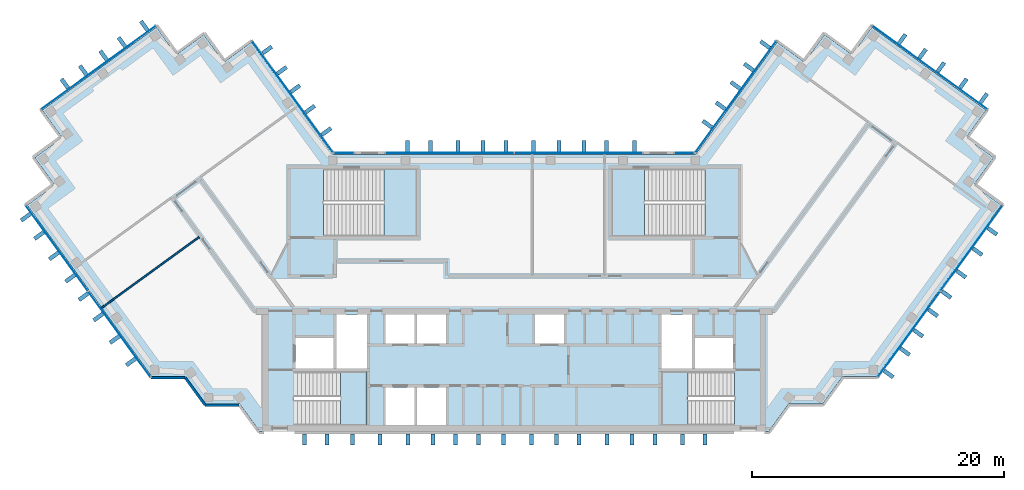
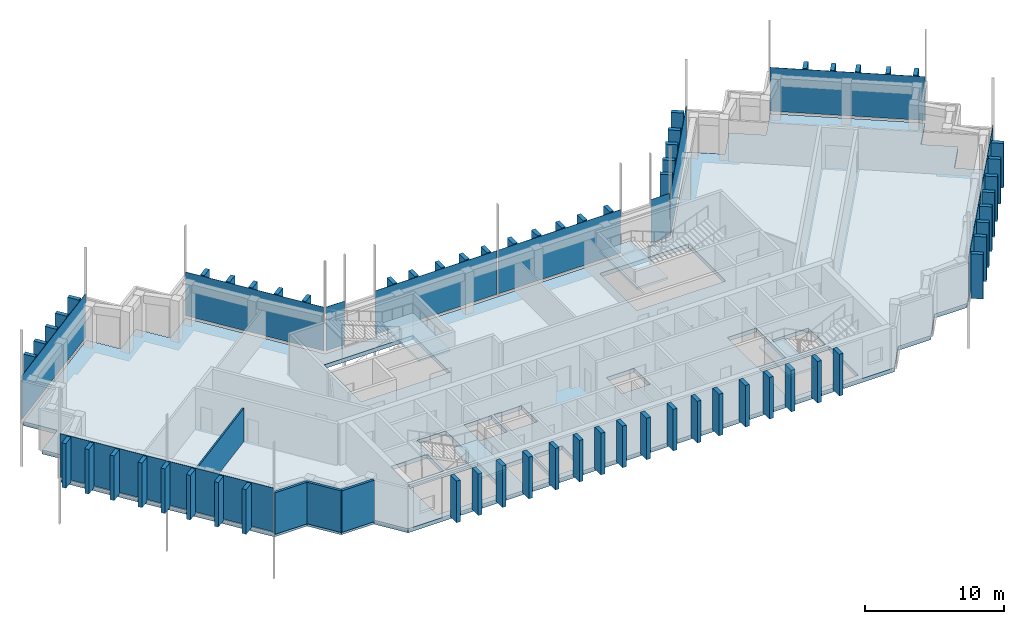
# One storey, part 7 of 13: 75 plates, 5 slabs, 4 walls, 13 elements without a shape of their own.
"""IFC4 building model written with IfcOpenShell, lengths in metres."""

from ifc_helpers import new_model, si_unit, direction, frame, frame_2d, origin, origin_2d, place, context, subcontext, project, spatial, polyline, rectangle, outline, extrude, material, layer, layer_set, type_object, element, aggregate, save


model = new_model("IFC4")

# Units and contexts
model_context = context("Model", 3, precision=1e-05, world=origin(), true_north=direction((0.0, 1.0)))
body_context = subcontext(model_context, "Body", "Model", "MODEL_VIEW")
ifc_project = project(units=[si_unit("LENGTHUNIT", "METRE"), si_unit("AREAUNIT", "SQUARE_METRE"), si_unit("VOLUMEUNIT", "CUBIC_METRE"), si_unit("PLANEANGLEUNIT", "RADIAN"), si_unit("MASSUNIT", "GRAM", prefix="KILO")], contexts=[model_context])

# Site, building, storey
site_placement = place(None, origin())
site = spatial("IfcSite", under=ifc_project, at=site_placement, CompositionType="ELEMENT")
building_placement = place(site_placement, origin())
building = spatial("IfcBuilding", under=site, at=building_placement, Name="Quipu Civic Tower", CompositionType="ELEMENT")
storey_placement = place(building_placement, frame((0.0, 0.0, 285.0)))
storey = spatial("IfcBuildingStorey", under=building, at=storey_placement, Name="L66", CompositionType="ELEMENT", Elevation=285.0)

# Slab
ifc_material_1 = material(Name="Concrete C40/50", Category="concrete")
ifc_layer_1 = layer(ifc_material_1, 0.35009765625)
ifc_layer_set_1 = layer_set([ifc_layer_1], Name="Concrete C40/50")
slab_type_1 = type_object("IfcSlabType", Name="Floor slab 350 C40/50", PredefinedType="FLOOR", material=ifc_layer_set_1)
slab_1_placement = place(storey_placement, frame((0.0, 0.0, -0.35009765625)))
element("IfcSlab", 1, at=slab_1_placement, inside=storey, type_object=slab_type_1, Name="Floor slab L66", PredefinedType="FLOOR", context=body_context, shape_type="SweptSolid", body=[
    extrude(outline(polyline([(20.860107421875, 19.89501953125), (23.0400390625, 18.31005859375), (24.6298828125, 20.4951171875), (26.81494140625, 18.905029296875), (28.39990234375, 21.090087890625), (37.4599609375, 14.5048828125), (35.875, 12.320068359375), (38.06005859375, 10.735107421875), (36.469970703125, 8.550048828125), (38.655029296875, 6.965087890625), (28.780029296875, -6.6298828125), (26.080078125, -6.6298828125), (24.489990234375, -8.81494140625), (21.7900390625, -8.81494140625), (20.205078125, -11.0), (-20.205078125, -11.0), (-21.7900390625, -8.81494140625), (-24.489990234375, -8.81494140625), (-26.080078125, -6.6298828125), (-28.780029296875, -6.6298828125), (-38.655029296875, 6.965087890625), (-36.469970703125, 8.550048828125), (-38.06005859375, 10.735107421875), (-35.875, 12.320068359375), (-37.4599609375, 14.5048828125), (-28.39990234375, 21.090087890625), (-26.81494140625, 18.905029296875), (-24.6298828125, 20.4951171875), (-23.0400390625, 18.31005859375), (-20.860107421875, 19.89501953125), (-14.39501953125, 11.0), (14.39501953125, 11.0), (20.860107421875, 19.89501953125)]), holes=[polyline([(-10.199951171875, -10.5), (-7.89990234375, -10.5), (-7.89990234375, -7.5), (-10.199951171875, -7.5), (-10.199951171875, -10.5)]), polyline([(-7.699951171875, -7.5), (-7.699951171875, -10.5), (-5.39990234375, -10.5), (-5.39990234375, -7.5), (-7.699951171875, -7.5)]), polyline([(-11.705078125, -6.2548828125), (-17.4951171875, -6.2548828125), (-17.4951171875, -10.4951171875), (-11.705078125, -10.4951171875), (-11.705078125, -6.2548828125)]), polyline([(-17.35009765625, -6.0), (-14.35009765625, -6.0), (-14.35009765625, -3.60009765625), (-17.35009765625, -3.60009765625), (-17.35009765625, -6.0)]), polyline([(-14.10009765625, -1.699951171875), (-14.10009765625, -6.0), (-11.699951171875, -6.0), (-11.699951171875, -1.699951171875), (-14.10009765625, -1.699951171875)]), polyline([(-10.199951171875, -1.699951171875), (-10.199951171875, -4.0), (-7.89990234375, -4.0), (-7.89990234375, -1.699951171875), (-10.199951171875, -1.699951171875)]), polyline([(-15.14501953125, 9.844970703125), (-15.14501953125, 4.5048828125), (-7.7548828125, 4.5048828125), (-7.7548828125, 9.844970703125), (-15.14501953125, 9.844970703125)]), polyline([(11.705078125, -10.4951171875), (17.4951171875, -10.4951171875), (17.4951171875, -6.2548828125), (11.705078125, -6.2548828125), (11.705078125, -10.4951171875)]), polyline([(14.35009765625, -3.60009765625), (14.35009765625, -6.0), (17.35009765625, -6.0), (17.35009765625, -3.60009765625), (14.35009765625, -3.60009765625)]), polyline([(11.699951171875, -1.699951171875), (11.699951171875, -6.0), (14.10009765625, -6.0), (14.10009765625, -1.699951171875), (11.699951171875, -1.699951171875)]), polyline([(-7.699951171875, -1.699951171875), (-7.699951171875, -4.0), (-5.39990234375, -4.0), (-5.39990234375, -1.699951171875), (-7.699951171875, -1.699951171875)]), polyline([(1.64990234375, -1.699951171875), (1.64990234375, -4.0), (3.949951171875, -4.0), (3.949951171875, -1.699951171875), (1.64990234375, -1.699951171875)]), polyline([(7.7548828125, 4.5048828125), (15.14501953125, 4.5048828125), (15.14501953125, 9.844970703125), (7.7548828125, 9.844970703125), (7.7548828125, 4.5048828125)])]), origin(), (0.0, 0.0, 1.0), 0.35009765625),
])

# Curtain wall, plate
ifc_material_2 = material(Name="Insulated glass unit", Category="glass")
curtain_wall_type = type_object("IfcCurtainWallType", Name="Office curtain wall CW1", PredefinedType="NOTDEFINED", material=ifc_material_2)
curtain_wall_1_placement = place(storey_placement, origin())
curtain_wall_1 = element("IfcCurtainWall", 2, at=curtain_wall_1_placement, inside=storey, type_object=curtain_wall_type, Name="Office curtain wall CW1 L65 run 1", PredefinedType="NOTDEFINED")
ifc_material_3 = material(Name="Insulated glass unit", Category="glass")
ifc_layer_2 = layer(ifc_material_3, 0.028076171875)
ifc_layer_set_2 = layer_set([ifc_layer_2], Name="Insulated glass unit")
plate_type_1 = type_object("IfcPlateType", Name="Glass panel CW1", PredefinedType="CURTAIN_PANEL", material=ifc_layer_set_2)
plate_1_placement = place(storey_placement, frame((-17.590087890625, 15.5673828125, 0.16015625), z_axis=(0.0, 0.0, 1.0), x_axis=(-0.587787771652, 0.809015163947, 0.0)))
plate_1 = element("IfcPlate", 3, at=plate_1_placement, type_object=plate_type_1, Name="CW1 panel 1.2", PredefinedType="CURTAIN_PANEL", context=body_context, shape_type="SweptSolid", body=[
    extrude(rectangle(XDim=10.88427734375, YDim=0.028076171875, at=origin_2d()), origin(), (0.0, 0.0, 1.0), 3.840087890625),
])
aggregate(curtain_wall_1, [plate_1])

curtain_wall_2_placement = place(storey_placement, origin())
curtain_wall_2 = element("IfcCurtainWall", 4, at=curtain_wall_2_placement, inside=storey, type_object=curtain_wall_type, Name="Office curtain wall CW1 L65 run 6", PredefinedType="NOTDEFINED")
plate_2_placement = place(storey_placement, frame((-32.989990234375, 17.87939453125, 0.16015625), z_axis=(0.0, 0.0, 1.0), x_axis=(-0.809015176832, -0.587787753918, 0.0)))
plate_2 = element("IfcPlate", 5, at=plate_2_placement, type_object=plate_type_1, Name="CW1 panel 1.2", PredefinedType="CURTAIN_PANEL", context=body_context, shape_type="SweptSolid", body=[
    extrude(rectangle(XDim=11.239990234375, YDim=0.028076171875, at=origin_2d()), origin(), (0.0, 0.0, 1.0), 3.840087890625),
])
aggregate(curtain_wall_2, [plate_2])

# Curtain wall, plates
curtain_wall_3_placement = place(storey_placement, origin())
curtain_wall_3 = element("IfcCurtainWall", 6, at=curtain_wall_3_placement, inside=storey, type_object=curtain_wall_type, Name="Office curtain wall CW1 L65 run 11", PredefinedType="NOTDEFINED")
plate_3_placement = place(storey_placement, frame((-36.292724609375, 3.54052734375, 0.16015625), z_axis=(0.0, 0.0, 1.0), x_axis=(0.587786237643, -0.809016278475, 0.0)))
plate_3 = element("IfcPlate", 7, at=plate_3_placement, type_object=plate_type_1, Name="CW1 panel 1.2", PredefinedType="CURTAIN_PANEL", context=body_context, shape_type="SweptSolid", body=[
    extrude(rectangle(XDim=8.35791015625, YDim=0.028076171875, at=origin_2d()), origin(), (0.0, 0.0, 1.0), 3.840087890625),
])
plate_4_placement = place(storey_placement, frame((-31.333251953125, -3.285888671875, 0.16015625), z_axis=(0.0, 0.0, 1.0), x_axis=(0.587786237643, -0.809016278475, 0.0)))
plate_4 = element("IfcPlate", 8, at=plate_4_placement, type_object=plate_type_1, Name="CW1 panel 2.2", PredefinedType="CURTAIN_PANEL", context=body_context, shape_type="SweptSolid", body=[
    extrude(rectangle(XDim=8.35791015625, YDim=0.028076171875, at=origin_2d()), origin(), (0.0, 0.0, 1.0), 3.840087890625),
])
aggregate(curtain_wall_3, [plate_3, plate_4])

curtain_wall_4_placement = place(storey_placement, origin())
curtain_wall_4 = element("IfcCurtainWall", 9, at=curtain_wall_4_placement, inside=storey, type_object=curtain_wall_type, Name="Office curtain wall CW1 L65 run 23", PredefinedType="NOTDEFINED")
plate_5_placement = place(storey_placement, frame((31.333251953125, -3.285888671875, 0.16015625), z_axis=(0.0, 0.0, 1.0), x_axis=(0.587786237643, 0.809016278475, 0.0)))
plate_5 = element("IfcPlate", 10, at=plate_5_placement, type_object=plate_type_1, Name="CW1 panel 1.2", PredefinedType="CURTAIN_PANEL", context=body_context, shape_type="SweptSolid", body=[
    extrude(rectangle(XDim=8.35791015625, YDim=0.028076171875, at=origin_2d()), origin(), (0.0, 0.0, 1.0), 3.840087890625),
])
plate_6_placement = place(storey_placement, frame((36.292724609375, 3.54052734375, 0.16015625), z_axis=(0.0, 0.0, 1.0), x_axis=(0.587786237643, 0.809016278475, 0.0)))
plate_6 = element("IfcPlate", 11, at=plate_6_placement, type_object=plate_type_1, Name="CW1 panel 2.2", PredefinedType="CURTAIN_PANEL", context=body_context, shape_type="SweptSolid", body=[
    extrude(rectangle(XDim=8.35791015625, YDim=0.028076171875, at=origin_2d()), origin(), (0.0, 0.0, 1.0), 3.840087890625),
])
aggregate(curtain_wall_4, [plate_5, plate_6])

# Curtain wall, plate
curtain_wall_5_placement = place(storey_placement, origin())
curtain_wall_5 = element("IfcCurtainWall", 12, at=curtain_wall_5_placement, inside=storey, type_object=curtain_wall_type, Name="Office curtain wall CW1 L65 run 28", PredefinedType="NOTDEFINED")
plate_7_placement = place(storey_placement, frame((32.989990234375, 17.87939453125, 0.16015625), z_axis=(0.0, 0.0, 1.0), x_axis=(-0.809015176832, 0.587787753918, 0.0)))
plate_7 = element("IfcPlate", 13, at=plate_7_placement, type_object=plate_type_1, Name="CW1 panel 1.2", PredefinedType="CURTAIN_PANEL", context=body_context, shape_type="SweptSolid", body=[
    extrude(rectangle(XDim=11.239990234375, YDim=0.028076171875, at=origin_2d()), origin(), (0.0, 0.0, 1.0), 3.840087890625),
])
aggregate(curtain_wall_5, [plate_7])

curtain_wall_6_placement = place(storey_placement, origin())
curtain_wall_6 = element("IfcCurtainWall", 14, at=curtain_wall_6_placement, inside=storey, type_object=curtain_wall_type, Name="Office curtain wall CW1 L65 run 33", PredefinedType="NOTDEFINED")
plate_8_placement = place(storey_placement, frame((17.590087890625, 15.5673828125, 0.16015625), z_axis=(0.0, 0.0, 1.0), x_axis=(-0.587787771652, -0.809015163947, 0.0)))
plate_8 = element("IfcPlate", 15, at=plate_8_placement, type_object=plate_type_1, Name="CW1 panel 1.2", PredefinedType="CURTAIN_PANEL", context=body_context, shape_type="SweptSolid", body=[
    extrude(rectangle(XDim=10.88427734375, YDim=0.028076171875, at=origin_2d()), origin(), (0.0, 0.0, 1.0), 3.840087890625),
])
aggregate(curtain_wall_6, [plate_8])

curtain_wall_7_placement = place(storey_placement, origin())
curtain_wall_7 = element("IfcCurtainWall", 16, at=curtain_wall_7_placement, inside=storey, type_object=curtain_wall_type, Name="Office curtain wall CW1 L65 run 34", PredefinedType="NOTDEFINED")
plate_9_placement = place(storey_placement, frame((13.49951171875, 11.10009765625, 0.16015625), z_axis=(0.0, 0.0, 1.0), x_axis=(-1.0, 0.0, 0.0)))
plate_9 = element("IfcPlate", 17, at=plate_9_placement, type_object=plate_type_1, Name="CW1 panel 1.2", PredefinedType="CURTAIN_PANEL", context=body_context, shape_type="SweptSolid", body=[
    extrude(rectangle(XDim=1.529296875, YDim=0.028076171875, at=origin_2d()), origin(), (0.0, 0.0, 1.0), 3.840087890625),
])
aggregate(curtain_wall_7, [plate_9])

# Curtain wall, plates
curtain_wall_8_placement = place(storey_placement, origin())
curtain_wall_8 = element("IfcCurtainWall", 18, at=curtain_wall_8_placement, inside=storey, type_object=curtain_wall_type, Name="Office curtain wall CW1 L65 run 36", PredefinedType="NOTDEFINED")
plate_10_placement = place(storey_placement, frame((5.11181640625, 11.10009765625, 0.16015625), z_axis=(0.0, 0.0, 1.0), x_axis=(-1.0, 0.0, 0.0)))
plate_10 = element("IfcPlate", 19, at=plate_10_placement, type_object=plate_type_1, Name="CW1 panel 1.2", PredefinedType="CURTAIN_PANEL", context=body_context, shape_type="SweptSolid", body=[
    extrude(rectangle(XDim=10.1435546875, YDim=0.028076171875, at=origin_2d()), origin(), (0.0, 0.0, 1.0), 3.840087890625),
])
plate_11_placement = place(storey_placement, frame((-5.11181640625, 11.10009765625, 0.16015625), z_axis=(0.0, 0.0, 1.0), x_axis=(-1.0, 0.0, 0.0)))
plate_11 = element("IfcPlate", 20, at=plate_11_placement, type_object=plate_type_1, Name="CW1 panel 2.2", PredefinedType="CURTAIN_PANEL", context=body_context, shape_type="SweptSolid", body=[
    extrude(rectangle(XDim=10.1435546875, YDim=0.028076171875, at=origin_2d()), origin(), (0.0, 0.0, 1.0), 3.840087890625),
])
aggregate(curtain_wall_8, [plate_10, plate_11])

# Curtain wall, plate
curtain_wall_9_placement = place(storey_placement, origin())
curtain_wall_9 = element("IfcCurtainWall", 21, at=curtain_wall_9_placement, inside=storey, type_object=curtain_wall_type, Name="Office curtain wall CW1 L65 run 38", PredefinedType="NOTDEFINED")
plate_12_placement = place(storey_placement, frame((-13.49951171875, 11.10009765625, 0.16015625), z_axis=(0.0, 0.0, 1.0), x_axis=(-1.0, 0.0, 0.0)))
plate_12 = element("IfcPlate", 22, at=plate_12_placement, type_object=plate_type_1, Name="CW1 panel 1.2", PredefinedType="CURTAIN_PANEL", context=body_context, shape_type="SweptSolid", body=[
    extrude(rectangle(XDim=1.529296875, YDim=0.028076171875, at=origin_2d()), origin(), (0.0, 0.0, 1.0), 3.840087890625),
])
aggregate(curtain_wall_9, [plate_12])

# Plates
ifc_material_4 = material(Name="Precast concrete C40/50", Category="concrete")
plate_type_2 = type_object("IfcPlateType", Name="Precast fin F3", PredefinedType="SHEET", material=ifc_material_4)
for number, where, z_axis, x_axis, name in (
    (23, (-14.90380859375, 12.805908203125, 0.080078125), (0.0, 0.0, 1.0), (-0.58778443384, 0.809017589015, 0.0), "Precast fin F3 L66.P01.1"),
    (24, (-16.197021484375, 14.585693359375, 0.080078125), (0.0, 0.0, 1.0), (-0.58778443384, 0.809017589015, 0.0), "Precast fin F3 L66.P01.2"),
    (25, (-17.37255859375, 16.203857421875, 0.080078125), (0.0, 0.0, 1.0), (-0.58778443384, 0.809017589015, 0.0), "Precast fin F3 L66.P01.3"),
    (26, (-18.4306640625, 17.66015625, 0.080078125), (0.0, 0.0, 1.0), (-0.58778443384, 0.809017589015, 0.0), "Precast fin F3 L66.P01.4"),
    (27, (-19.606201171875, 19.278076171875, 0.080078125), (0.0, 0.0, 1.0), (-0.58778443384, 0.809017589015, 0.0), "Precast fin F3 L66.P01.5"),
    (28, (-29.357177734375, 21.198486328125, 0.080078125), (0.0, 0.0, 1.0), (-0.809017072762, -0.587785144401, 0.0), "Precast fin F3 L66.P06.1"),
    (29, (-31.13720703125, 19.905517578125, 0.080078125), (0.0, 0.0, 1.0), (-0.809017072762, -0.587785144401, 0.0), "Precast fin F3 L66.P06.2"),
    (30, (-32.59326171875, 18.847412109375, 0.080078125), (0.0, 0.0, 1.0), (-0.809017072762, -0.587785144401, 0.0), "Precast fin F3 L66.P06.3"),
    (31, (-34.21142578125, 17.671875, 0.080078125), (0.0, 0.0, 1.0), (-0.809017072762, -0.587785144401, 0.0), "Precast fin F3 L66.P06.4"),
    (32, (-35.66748046875, 16.61376953125, 0.080078125), (0.0, 0.0, 1.0), (-0.809017072762, -0.587785144401, 0.0), "Precast fin F3 L66.P06.5"),
    (33, (-38.764892578125, 6.007568359375, 0.080078125), (0.0, 0.0, 1.0), (0.587786668783, -0.809015965233, 0.0), "Precast fin F3 L66.P11.1"),
    (34, (-37.70703125, 4.55126953125, 0.080078125), (0.0, 0.0, 1.0), (0.587786668783, -0.809015965233, 0.0), "Precast fin F3 L66.P11.2"),
    (35, (-36.53125, 2.933349609375, 0.080078125), (0.0, 0.0, 1.0), (0.587786668783, -0.809015965233, 0.0), "Precast fin F3 L66.P11.3"),
    (36, (-35.23828125, 1.1533203125, 0.080078125), (0.0, 0.0, 1.0), (0.587786668783, -0.809015965233, 0.0), "Precast fin F3 L66.P11.4"),
    (37, (-34.18017578125, -0.302734375, 0.080078125), (0.0, 0.0, 1.0), (0.587786668783, -0.809015965233, 0.0), "Precast fin F3 L66.P11.5"),
    (38, (-33.004638671875, -1.9208984375, 0.080078125), (0.0, 0.0, 1.0), (0.587786668783, -0.809015965233, 0.0), "Precast fin F3 L66.P11.6"),
    (39, (-31.71142578125, -3.70068359375, 0.080078125), (0.0, 0.0, 1.0), (0.587786668783, -0.809015965233, 0.0), "Precast fin F3 L66.P11.7"),
    (40, (-30.41845703125, -5.48046875, 0.080078125), (0.0, 0.0, 1.0), (0.587786668783, -0.809015965233, 0.0), "Precast fin F3 L66.P11.8"),
):
    element("IfcPlate", number, at=place(storey_placement, frame(where, z_axis=z_axis, x_axis=x_axis)), inside=storey, type_object=plate_type_2, Name=name, PredefinedType="SHEET", context=body_context, shape_type="SweptSolid", body=[
        extrude(rectangle(XDim=0.320068359375, YDim=0.89990234375, at=origin_2d()), origin(), (0.0, 0.0, 1.0), 3.919921875),
    ])
for number, where, z_axis, x_axis, name in (
    (41, (-16.639892578125, -11.637939453125, 0.0), (0.0, 0.0, 1.0), (1.0, 0.0, 0.0), "Precast fin F3 L66.P18.1"),
    (42, (-14.840087890625, -11.637939453125, 0.0), (0.0, 0.0, 1.0), (1.0, 0.0, 0.0), "Precast fin F3 L66.P18.2"),
    (43, (-12.840087890625, -11.637939453125, 0.0), (0.0, 0.0, 1.0), (1.0, 0.0, 0.0), "Precast fin F3 L66.P18.3"),
    (44, (-10.639892578125, -11.637939453125, 0.0), (0.0, 0.0, 1.0), (1.0, 0.0, 0.0), "Precast fin F3 L66.P18.4"),
    (45, (-8.43994140625, -11.637939453125, 0.0), (0.0, 0.0, 1.0), (1.0, 0.0, 0.0), "Precast fin F3 L66.P18.5"),
    (46, (-6.43994140625, -11.637939453125, 0.0), (0.0, 0.0, 1.0), (1.0, 0.0, 0.0), "Precast fin F3 L66.P18.6"),
    (47, (-4.639892578125, -11.637939453125, 0.0), (0.0, 0.0, 1.0), (1.0, 0.0, 0.0), "Precast fin F3 L66.P18.7"),
    (48, (-2.840087890625, -11.637939453125, 0.0), (0.0, 0.0, 1.0), (1.0, 0.0, 0.0), "Precast fin F3 L66.P18.8"),
    (49, (-0.840087890625, -11.637939453125, 0.0), (0.0, 0.0, 1.0), (1.0, 0.0, 0.0), "Precast fin F3 L66.P18.9"),
    (50, (1.360107421875, -11.637939453125, 0.0), (0.0, 0.0, 1.0), (1.0, 0.0, 0.0), "Precast fin F3 L66.P18.10"),
    (51, (3.360107421875, -11.637939453125, 0.0), (0.0, 0.0, 1.0), (1.0, 0.0, 0.0), "Precast fin F3 L66.P18.11"),
    (52, (5.159912109375, -11.637939453125, 0.0), (0.0, 0.0, 1.0), (1.0, 0.0, 0.0), "Precast fin F3 L66.P18.12"),
    (53, (7.360107421875, -11.637939453125, 0.0), (0.0, 0.0, 1.0), (1.0, 0.0, 0.0), "Precast fin F3 L66.P18.13"),
    (54, (9.360107421875, -11.637939453125, 0.0), (0.0, 0.0, 1.0), (1.0, 0.0, 0.0), "Precast fin F3 L66.P18.14"),
    (55, (11.159912109375, -11.637939453125, 0.0), (0.0, 0.0, 1.0), (1.0, 0.0, 0.0), "Precast fin F3 L66.P18.15"),
    (56, (13.360107421875, -11.637939453125, 0.0), (0.0, 0.0, 1.0), (1.0, 0.0, 0.0), "Precast fin F3 L66.P18.16"),
    (57, (15.159912109375, -11.637939453125, 0.0), (0.0, 0.0, 1.0), (1.0, 0.0, 0.0), "Precast fin F3 L66.P18.17"),
):
    element("IfcPlate", number, at=place(storey_placement, frame(where, z_axis=z_axis, x_axis=x_axis)), inside=storey, type_object=plate_type_2, Name=name, PredefinedType="SHEET", context=body_context, shape_type="SweptSolid", body=[
        extrude(rectangle(XDim=0.320068359375, YDim=0.89990234375, at=origin_2d()), origin(), (0.0, 0.0, 1.0), 3.64990234375),
    ])
for number, where, z_axis, x_axis, name in (
    (58, (29.721923828125, -6.43896484375, 0.080078125), (0.0, 0.0, 1.0), (0.587786668783, 0.809015965233, 0.0), "Precast fin F3 L66.P24.1"),
    (59, (31.01513671875, -4.6591796875, 0.080078125), (0.0, 0.0, 1.0), (0.587786668783, 0.809015965233, 0.0), "Precast fin F3 L66.P24.2"),
    (60, (32.0732421875, -3.202880859375, 0.080078125), (0.0, 0.0, 1.0), (0.587786668783, 0.809015965233, 0.0), "Precast fin F3 L66.P24.3"),
    (61, (33.248779296875, -1.5849609375, 0.080078125), (0.0, 0.0, 1.0), (0.587786668783, 0.809015965233, 0.0), "Precast fin F3 L66.P24.4"),
    (62, (34.306640625, -0.128662109375, 0.080078125), (0.0, 0.0, 1.0), (0.587786668783, 0.809015965233, 0.0), "Precast fin F3 L66.P24.5"),
    (63, (35.482177734375, 1.489501953125, 0.080078125), (0.0, 0.0, 1.0), (0.587786668783, 0.809015965233, 0.0), "Precast fin F3 L66.P24.6"),
    (64, (36.775390625, 3.269287109375, 0.080078125), (0.0, 0.0, 1.0), (0.587786668783, 0.809015965233, 0.0), "Precast fin F3 L66.P24.7"),
    (65, (37.950927734375, 4.88720703125, 0.080078125), (0.0, 0.0, 1.0), (0.587786668783, 0.809015965233, 0.0), "Precast fin F3 L66.P24.8"),
    (66, (37.26953125, 15.449951171875, 0.080078125), (0.0, 0.0, 1.0), (-0.809017072762, 0.587785144401, 0.0), "Precast fin F3 L66.P29.1"),
    (67, (35.6513671875, 16.62548828125, 0.080078125), (0.0, 0.0, 1.0), (-0.809017072762, 0.587785144401, 0.0), "Precast fin F3 L66.P29.2"),
    (68, (33.87158203125, 17.918701171875, 0.080078125), (0.0, 0.0, 1.0), (-0.809017072762, 0.587785144401, 0.0), "Precast fin F3 L66.P29.3"),
    (69, (32.415283203125, 18.976806640625, 0.080078125), (0.0, 0.0, 1.0), (-0.809017072762, 0.587785144401, 0.0), "Precast fin F3 L66.P29.4"),
    (70, (30.79736328125, 20.15234375, 0.080078125), (0.0, 0.0, 1.0), (-0.809017072762, 0.587785144401, 0.0), "Precast fin F3 L66.P29.5"),
    (71, (19.914794921875, 19.702880859375, 0.080078125), (0.0, 0.0, 1.0), (-0.58778443384, -0.809017589015, 0.0), "Precast fin F3 L66.P34.1"),
    (72, (18.62158203125, 17.923095703125, 0.080078125), (0.0, 0.0, 1.0), (-0.58778443384, -0.809017589015, 0.0), "Precast fin F3 L66.P34.2"),
    (73, (17.563720703125, 16.466796875, 0.080078125), (0.0, 0.0, 1.0), (-0.58778443384, -0.809017589015, 0.0), "Precast fin F3 L66.P34.3"),
    (74, (16.38818359375, 14.848876953125, 0.080078125), (0.0, 0.0, 1.0), (-0.58778443384, -0.809017589015, 0.0), "Precast fin F3 L66.P34.4"),
    (75, (15.330078125, 13.392578125, 0.080078125), (0.0, 0.0, 1.0), (-0.58778443384, -0.809017589015, 0.0), "Precast fin F3 L66.P34.5"),
    (76, (9.5400390625, 11.64990234375, 0.080078125), (0.0, 0.0, 1.0), (-1.0, 0.0, 0.0), "Precast fin F3 L66.P37.1"),
    (77, (7.340087890625, 11.64990234375, 0.080078125), (0.0, 0.0, 1.0), (-1.0, 0.0, 0.0), "Precast fin F3 L66.P37.2"),
    (78, (5.5400390625, 11.64990234375, 0.080078125), (0.0, 0.0, 1.0), (-1.0, 0.0, 0.0), "Precast fin F3 L66.P37.3"),
    (79, (3.5400390625, 11.64990234375, 0.080078125), (0.0, 0.0, 1.0), (-1.0, 0.0, 0.0), "Precast fin F3 L66.P37.4"),
    (80, (1.5400390625, 11.64990234375, 0.080078125), (0.0, 0.0, 1.0), (-1.0, 0.0, 0.0), "Precast fin F3 L66.P37.5"),
    (81, (-0.659912109375, 11.64990234375, 0.080078125), (0.0, 0.0, 1.0), (-1.0, 0.0, 0.0), "Precast fin F3 L66.P37.6"),
    (82, (-2.4599609375, 11.64990234375, 0.080078125), (0.0, 0.0, 1.0), (-1.0, 0.0, 0.0), "Precast fin F3 L66.P37.7"),
    (83, (-4.4599609375, 11.64990234375, 0.080078125), (0.0, 0.0, 1.0), (-1.0, 0.0, 0.0), "Precast fin F3 L66.P37.8"),
    (84, (-6.659912109375, 11.64990234375, 0.080078125), (0.0, 0.0, 1.0), (-1.0, 0.0, 0.0), "Precast fin F3 L66.P37.9"),
    (85, (-8.4599609375, 11.64990234375, 0.080078125), (0.0, 0.0, 1.0), (-1.0, 0.0, 0.0), "Precast fin F3 L66.P37.10"),
):
    element("IfcPlate", number, at=place(storey_placement, frame(where, z_axis=z_axis, x_axis=x_axis)), inside=storey, type_object=plate_type_2, Name=name, PredefinedType="SHEET", context=body_context, shape_type="SweptSolid", body=[
        extrude(rectangle(XDim=0.320068359375, YDim=0.89990234375, at=origin_2d()), origin(), (0.0, 0.0, 1.0), 3.919921875),
    ])

# Stair, slab
ifc_material_5 = material(Name="Concrete C40/50", Category="concrete")
stair_type_1 = type_object("IfcStairType", Name="Half turn stair 2000", PredefinedType="HALF_TURN_STAIR", material=ifc_material_5)
stair_1_placement = place(storey_placement, origin())
stair_1 = element("IfcStair", 86, at=stair_1_placement, inside=storey, type_object=stair_type_1, Name="Exit stair 1", PredefinedType="HALF_TURN_STAIR")
ifc_material_6 = material(Name="Concrete C40/50", Category="concrete")
ifc_layer_3 = layer(ifc_material_6, 0.199951171875)
ifc_layer_set_3 = layer_set([ifc_layer_3], Name="Concrete C40/50")
slab_type_2 = type_object("IfcSlabType", Name="Stair landing 200", PredefinedType="LANDING", material=ifc_layer_set_3)
slab_2_placement = place(storey_placement, frame((0.0, 0.0, 1.800048828125)))
slab_2 = element("IfcSlab", 87, at=slab_2_placement, type_object=slab_type_2, Name="ST-1 landing 1", PredefinedType="LANDING", context=body_context, shape_type="SweptSolid", body=[
    extrude(outline(polyline([(-13.780029296875, -10.5), (-11.699951171875, -10.5), (-11.699951171875, -6.25), (-13.780029296875, -6.25), (-13.780029296875, -10.5)])), origin(), (0.0, 0.0, 1.0), 0.199951171875),
])
aggregate(stair_1, [slab_2])

stair_2_placement = place(storey_placement, origin())
stair_2 = element("IfcStair", 88, at=stair_2_placement, inside=storey, type_object=stair_type_1, Name="Exit stair 2", PredefinedType="HALF_TURN_STAIR")
slab_3_placement = place(storey_placement, frame((0.0, 0.0, 1.800048828125)))
slab_3 = element("IfcSlab", 89, at=slab_3_placement, type_object=slab_type_2, Name="ST-2 landing 1", PredefinedType="LANDING", context=body_context, shape_type="SweptSolid", body=[
    extrude(outline(polyline([(13.780029296875, -6.25), (11.699951171875, -6.25), (11.699951171875, -10.5), (13.780029296875, -10.5), (13.780029296875, -6.25)])), origin(), (0.0, 0.0, 1.0), 0.199951171875),
])
aggregate(stair_2, [slab_3])

ifc_material_7 = material(Name="Concrete C40/50", Category="concrete")
stair_type_2 = type_object("IfcStairType", Name="Half turn stair 2600", PredefinedType="HALF_TURN_STAIR", material=ifc_material_7)
stair_3_placement = place(storey_placement, origin())
stair_3 = element("IfcStair", 90, at=stair_3_placement, inside=storey, type_object=stair_type_2, Name="Exit stair 3", PredefinedType="HALF_TURN_STAIR")
slab_4_placement = place(storey_placement, frame((0.0, 0.0, 1.800048828125)))
slab_4 = element("IfcSlab", 91, at=slab_4_placement, type_object=slab_type_2, Name="ST-3 landing 1", PredefinedType="LANDING", context=body_context, shape_type="SweptSolid", body=[
    extrude(outline(polyline([(-10.35009765625, 4.5), (-7.75, 4.5), (-7.75, 9.85009765625), (-10.35009765625, 9.85009765625), (-10.35009765625, 4.5)])), origin(), (0.0, 0.0, 1.0), 0.199951171875),
])
aggregate(stair_3, [slab_4])

stair_4_placement = place(storey_placement, origin())
stair_4 = element("IfcStair", 92, at=stair_4_placement, inside=storey, type_object=stair_type_2, Name="Exit stair 4", PredefinedType="HALF_TURN_STAIR")
slab_5_placement = place(storey_placement, frame((0.0, 0.0, 1.800048828125)))
slab_5 = element("IfcSlab", 93, at=slab_5_placement, type_object=slab_type_2, Name="ST-4 landing 1", PredefinedType="LANDING", context=body_context, shape_type="SweptSolid", body=[
    extrude(outline(polyline([(10.35009765625, 9.85009765625), (7.75, 9.85009765625), (7.75, 4.5), (10.35009765625, 4.5), (10.35009765625, 9.85009765625)])), origin(), (0.0, 0.0, 1.0), 0.199951171875),
])
aggregate(stair_4, [slab_5])

# Walls
ifc_material_8 = material(Name="Gypsum plasterboard on light gauge framing")
ifc_layer_4 = layer(ifc_material_8, 0.1201171875)
ifc_layer_set_4 = layer_set([ifc_layer_4], Name="Gypsum plasterboard on light gauge framing")
wall_type_1 = type_object("IfcWallType", Name="Partition 120 plasterboard", PredefinedType="PARTITIONING", material=ifc_layer_set_4)
wall_1_placement = place(storey_placement, frame((-25.00830078125, 4.4267578125, 0.0), z_axis=(0.0, 0.0, 1.0), x_axis=(-0.808994684961, -0.587815957341, 0.0)))
element("IfcWall", 94, at=wall_1_placement, inside=storey, type_object=wall_type_1, Name="Partition P03", PredefinedType="PARTITIONING", context=body_context, shape_type="SweptSolid", body=[
    extrude(rectangle(XDim=9.55029296875, YDim=0.1201171875, at=frame_2d((4.775146484375, 0.0))), origin(), (0.0, 0.0, 1.0), 2.949951171875),
])
ifc_material_9 = material(Name="Precast concrete C40/50", Category="concrete")
wall_type_2 = type_object("IfcWallType", Name="Precast cladding wall", PredefinedType="SOLIDWALL", material=ifc_material_9)
wall_2_placement = place(storey_placement, frame((-28.829833984375, -6.71923828125, 0.0), z_axis=(0.0, 0.0, 1.0), x_axis=(1.0, 0.0, 0.0)))
element("IfcWall", 95, at=wall_2_placement, inside=storey, type_object=wall_type_2, Name="Precast cladding wall L66 P12", PredefinedType="SOLIDWALL", context=body_context, shape_type="SweptSolid", body=[
    extrude(rectangle(XDim=2.699951171875, YDim=0.199951171875, at=frame_2d((1.35009765625, 0.0))), origin(), (0.0, 0.0, 1.0), 3.64990234375),
])
wall_3_placement = place(storey_placement, frame((-26.1201171875, -6.72412109375, 0.0), z_axis=(0.0, 0.0, 1.0), x_axis=(0.587720002413, -0.809064397168, 0.0)))
element("IfcWall", 96, at=wall_3_placement, inside=storey, type_object=wall_type_2, Name="Precast cladding wall L66 P13", PredefinedType="SOLIDWALL", context=body_context, shape_type="SweptSolid", body=[
    extrude(rectangle(XDim=2.7001953125, YDim=0.199951171875, at=frame_2d((1.35009765625, 0.0))), origin(), (0.0, 0.0, 1.0), 3.64990234375),
])
wall_4_placement = place(storey_placement, frame((-24.542724609375, -8.90380859375, 0.0), z_axis=(0.0, 0.0, 1.0), x_axis=(1.0, 0.0, 0.0)))
element("IfcWall", 97, at=wall_4_placement, inside=storey, type_object=wall_type_2, Name="Precast cladding wall L66 P14", PredefinedType="SOLIDWALL", context=body_context, shape_type="SweptSolid", body=[
    extrude(rectangle(XDim=2.699951171875, YDim=0.199951171875, at=frame_2d((1.35009765625, 0.0))), origin(), (0.0, 0.0, 1.0), 3.64990234375),
])

save(model, "model.ifc")
